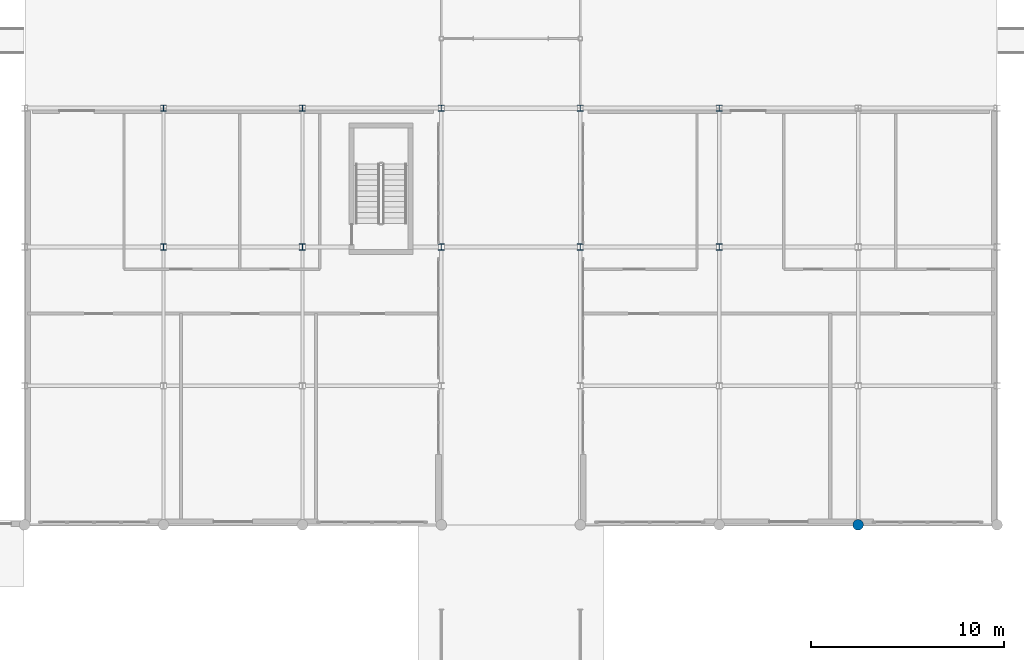
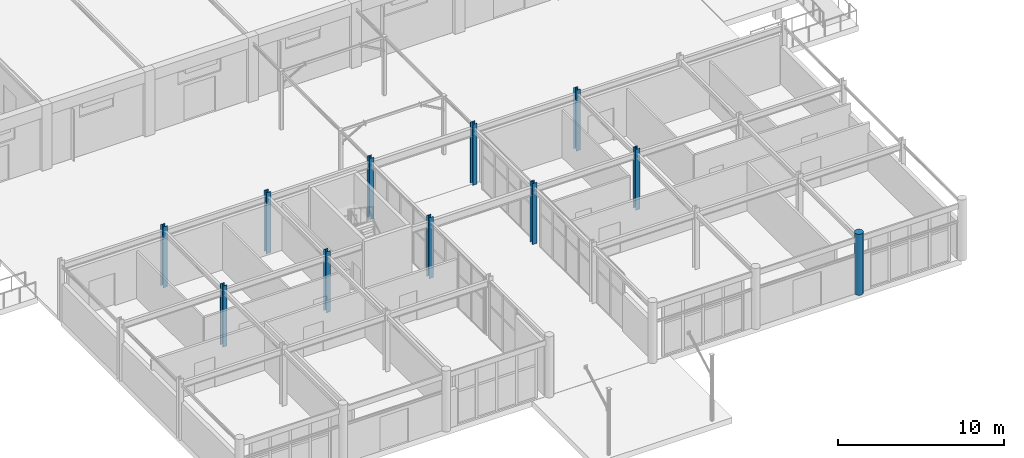
# One storey, part 7 of 85: 11 columns.
"""IFC4 building model written with IfcOpenShell, lengths in metres."""

from ifc_helpers import new_model, si_unit, direction, frame, origin, origin_2d, place, context, subcontext, project, spatial, circle, i_section, extrude, material, material_profile, profile_set, type_object, element, save


model = new_model("IFC4")

# Units and contexts
model_context = context("Model", 3, precision=1e-05, world=origin(), true_north=direction((0.0, 1.0)))
body_context = subcontext(model_context, "Body", "Model", "MODEL_VIEW")
ifc_project = project(units=[si_unit("LENGTHUNIT", "METRE"), si_unit("AREAUNIT", "SQUARE_METRE"), si_unit("VOLUMEUNIT", "CUBIC_METRE"), si_unit("PLANEANGLEUNIT", "RADIAN"), si_unit("MASSUNIT", "GRAM", prefix="KILO")], contexts=[model_context])

# Site, building, storey
site_placement = place(None, origin())
site = spatial("IfcSite", under=ifc_project, at=site_placement, CompositionType="ELEMENT")
building_placement = place(site_placement, origin())
building = spatial("IfcBuilding", under=site, at=building_placement, Name="Ochrevale Crest", CompositionType="ELEMENT")
storey_placement = place(building_placement, origin())
storey = spatial("IfcBuildingStorey", under=building, at=storey_placement, Name="L00", CompositionType="ELEMENT", Elevation=0.0)

# Columns
ifc_material_1 = material(Name="Precast concrete C50/60", Category="concrete")
ifc_material_profile_1 = material_profile(ifc_material_1, circle(Radius=0.27490234375, at=origin_2d()), Name="RC D550")
ifc_profile_set_1 = profile_set([ifc_material_profile_1], Name="Precast concrete C50/60")
column_type_1 = type_object("IfcColumnType", Name="COL-RCD550", PredefinedType="COLUMN", material=ifc_profile_set_1)
column_placement = place(storey_placement, frame((100.800048828125, 7.199951171875, 0.0), z_axis=(0.0, 0.0, 1.0), x_axis=(1.0, 0.0, 0.0)))
element("IfcColumn", 1, at=column_placement, inside=storey, type_object=column_type_1, Name="Retail arcade L00 column (100.8,7.2)", PredefinedType="COLUMN", context=body_context, shape_type="SweptSolid", body=[
    extrude(circle(Radius=0.27490234375, at=origin_2d()), origin(), (0.0, 0.0, 1.0), 4.5),
])
ifc_material_2 = material(Name="Steel S355", Category="steel")
ifc_material_profile_2 = material_profile(ifc_material_2, i_section(OverallWidth=0.306884765625, OverallDepth=0.314697265625, WebThickness=0.011962890625, FlangeThickness=0.018798828125, FilletRadius=0.0166015625, at=origin_2d()), Name="310UC118")
ifc_profile_set_2 = profile_set([ifc_material_profile_2], Name="Steel S355")
column_type_2 = type_object("IfcColumnType", Name="COL-UC310B", PredefinedType="COLUMN", material=ifc_profile_set_2)
for number, where, z_axis, x_axis, name in (
    (2, (64.800048828125, 21.60009765625, 0.0), (0.0, 0.0, 1.0), (1.0, 0.0, 0.0), "Retail arcade L00 column (64.8,21.6)"),
    (3, (64.800048828125, 28.800048828125, 0.0), (0.0, 0.0, 1.0), (1.0, 0.0, 0.0), "Retail arcade L00 column (64.8,28.8)"),
    (4, (72.0, 21.60009765625, 0.0), (0.0, 0.0, 1.0), (1.0, 0.0, 0.0), "Retail arcade L00 column (72.0,21.6)"),
    (5, (72.0, 28.800048828125, 0.0), (0.0, 0.0, 1.0), (1.0, 0.0, 0.0), "Retail arcade L00 column (72.0,28.8)"),
    (6, (79.199951171875, 21.60009765625, 0.0), (0.0, 0.0, 1.0), (1.0, 0.0, 0.0), "Retail arcade L00 column (79.2,21.6)"),
    (7, (79.199951171875, 28.800048828125, 0.0), (0.0, 0.0, 1.0), (1.0, 0.0, 0.0), "Retail arcade L00 column (79.2,28.8)"),
    (8, (86.39990234375, 21.60009765625, 0.0), (0.0, 0.0, 1.0), (1.0, 0.0, 0.0), "Retail arcade L00 column (86.4,21.6)"),
    (9, (86.39990234375, 28.800048828125, 0.0), (0.0, 0.0, 1.0), (1.0, 0.0, 0.0), "Retail arcade L00 column (86.4,28.8)"),
    (10, (93.60009765625, 21.60009765625, 0.0), (0.0, 0.0, 1.0), (1.0, 0.0, 0.0), "Retail arcade L00 column (93.6,21.6)"),
    (11, (93.60009765625, 28.800048828125, 0.0), (0.0, 0.0, 1.0), (1.0, 0.0, 0.0), "Retail arcade L00 column (93.6,28.8)"),
):
    element("IfcColumn", number, at=place(storey_placement, frame(where, z_axis=z_axis, x_axis=x_axis)), inside=storey, type_object=column_type_2, Name=name, PredefinedType="COLUMN", context=body_context, shape_type="SweptSolid", body=[
        extrude(i_section(OverallWidth=0.306884765625, OverallDepth=0.314697265625, WebThickness=0.011962890625, FlangeThickness=0.018798828125, FilletRadius=0.0166015625, at=origin_2d()), origin(), (0.0, 0.0, 1.0), 4.5),
    ])

save(model, "model.ifc")
